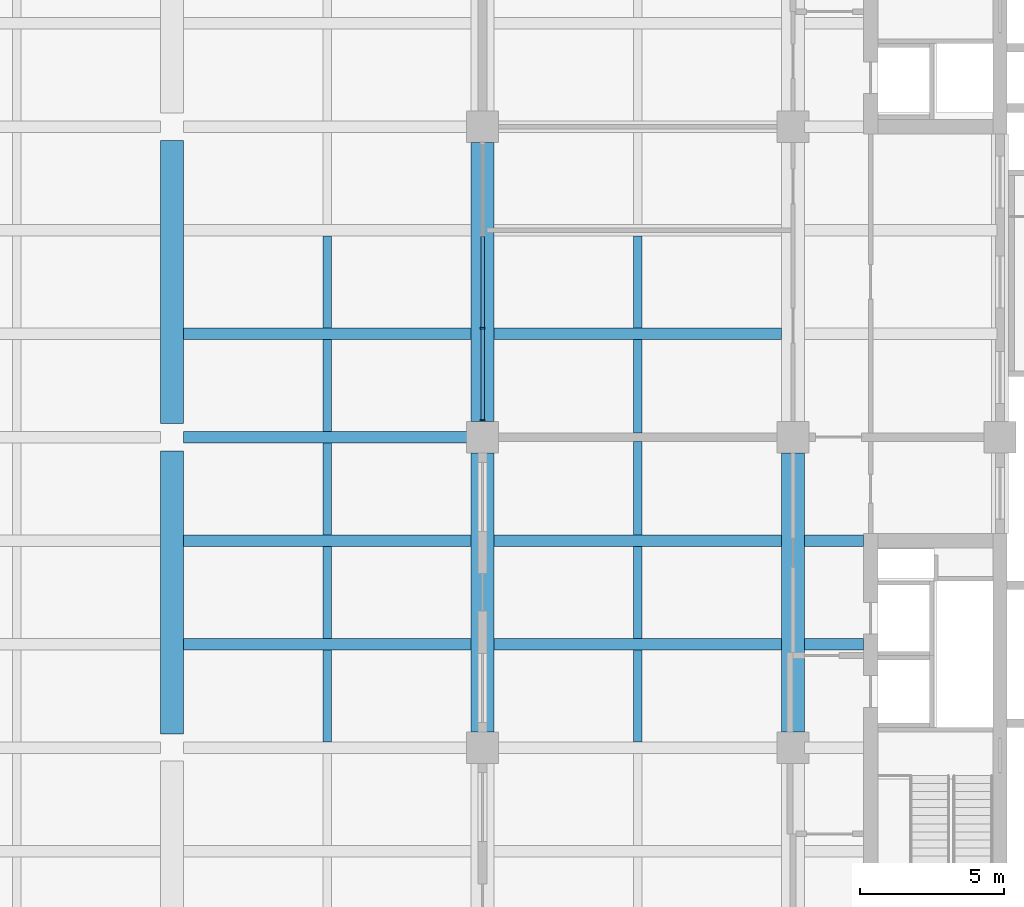
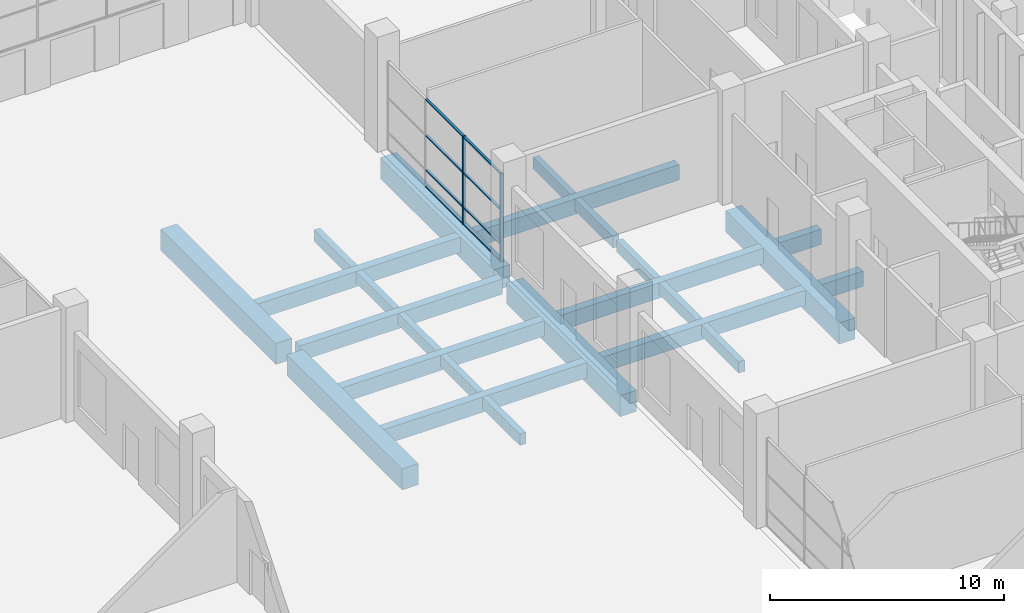
# One storey, part 30 of 71: 24 beams, 10 members, 1 element without a shape of its own.
"""IFC4 building model written with IfcOpenShell, lengths in metres."""

from ifc_helpers import new_model, si_unit, direction, frame, origin, origin_2d, place, context, subcontext, project, spatial, rectangle, extrude, material, layer, layer_set, material_profile, profile_set, type_object, element, aggregate, save


model = new_model("IFC4")

# Units and contexts
model_context = context("Model", 3, precision=1e-05, world=origin(), true_north=direction((0.0, 1.0)))
body_context = subcontext(model_context, "Body", "Model", "MODEL_VIEW")
ifc_project = project(units=[si_unit("LENGTHUNIT", "METRE"), si_unit("AREAUNIT", "SQUARE_METRE"), si_unit("VOLUMEUNIT", "CUBIC_METRE"), si_unit("PLANEANGLEUNIT", "RADIAN"), si_unit("MASSUNIT", "GRAM", prefix="KILO")], contexts=[model_context])

# Site, building, storey
site_placement = place(None, origin())
site = spatial("IfcSite", under=ifc_project, at=site_placement, CompositionType="ELEMENT")
building_placement = place(site_placement, origin())
building = spatial("IfcBuilding", under=site, at=building_placement, Name="Basin Gate Institute", CompositionType="ELEMENT")
storey_placement = place(building_placement, origin())
storey = spatial("IfcBuildingStorey", under=building, at=storey_placement, Name="L00", CompositionType="ELEMENT", Elevation=0.0)

# Beams
ifc_material_1 = material(Name="Concrete 40 MPa", Category="concrete")
ifc_material_profile_1 = material_profile(ifc_material_1, rectangle(XDim=0.39990234375, YDim=0.800048828125, at=origin_2d()), Name="Beam B2 400 x 800")
ifc_profile_set_1 = profile_set([ifc_material_profile_1], Name="Concrete 40 MPa")
beam_type_1 = type_object("IfcBeamType", Name="Beam B2 R180", PredefinedType="BEAM", material=ifc_profile_set_1)
beam_1_placement = place(storey_placement, frame((111.199951171875, 71.10009765625, -0.699951171875), z_axis=(-1.0, 0.0, 0.0), x_axis=(0.0, -1.0, 0.0)))
element("IfcBeam", 1, at=beam_1_placement, inside=storey, type_object=beam_type_1, material=ifc_profile_set_1, Name="BEAM/L00/E/EW/11", PredefinedType="BEAM", context=body_context, shape_type="SweptSolid", body=[
    extrude(rectangle(XDim=0.39990234375, YDim=0.800048828125, at=origin_2d()), origin(), (0.0, 0.0, 1.0), 10.0),
])
beam_2_placement = place(storey_placement, frame((114.050048828125, 71.10009765625, -0.699951171875), z_axis=(-1.0, 0.0, 0.0), x_axis=(0.0, -1.0, 0.0)))
element("IfcBeam", 2, at=beam_2_placement, inside=storey, type_object=beam_type_1, material=ifc_profile_set_1, Name="BEAM/L00/E/CORR/11", PredefinedType="BEAM", context=body_context, shape_type="SweptSolid", body=[
    extrude(rectangle(XDim=0.39990234375, YDim=0.800048828125, at=origin_2d()), origin(), (0.0, 0.0, 1.0), 2.050048828125),
])
beam_3_placement = place(storey_placement, frame((111.199951171875, 74.699951171875, -0.699951171875), z_axis=(-1.0, 0.0, 0.0), x_axis=(0.0, -1.0, 0.0)))
element("IfcBeam", 3, at=beam_3_placement, inside=storey, type_object=beam_type_1, material=ifc_profile_set_1, Name="BEAM/L00/E/EW/12", PredefinedType="BEAM", context=body_context, shape_type="SweptSolid", body=[
    extrude(rectangle(XDim=0.39990234375, YDim=0.800048828125, at=origin_2d()), origin(), (0.0, 0.0, 1.0), 10.0),
])
beam_4_placement = place(storey_placement, frame((114.050048828125, 74.699951171875, -0.699951171875), z_axis=(-1.0, 0.0, 0.0), x_axis=(0.0, -1.0, 0.0)))
element("IfcBeam", 4, at=beam_4_placement, inside=storey, type_object=beam_type_1, material=ifc_profile_set_1, Name="BEAM/L00/E/CORR/12", PredefinedType="BEAM", context=body_context, shape_type="SweptSolid", body=[
    extrude(rectangle(XDim=0.39990234375, YDim=0.800048828125, at=origin_2d()), origin(), (0.0, 0.0, 1.0), 2.050048828125),
])
for number, where, z_axis, x_axis, name in (
    (5, (111.199951171875, 81.89990234375, -0.699951171875), (-1.0, 0.0, 0.0), (0.0, -1.0, 0.0), "BEAM/L00/E/EW/14"),
    (6, (90.39990234375, 71.10009765625, -0.699951171875), (1.0, 0.0, 0.0), (0.0, 1.0, 0.0), "BEAM/L00/CAN/E/11"),
    (7, (90.39990234375, 74.699951171875, -0.699951171875), (1.0, 0.0, 0.0), (0.0, 1.0, 0.0), "BEAM/L00/CAN/E/12"),
    (8, (90.39990234375, 78.300048828125, -0.699951171875), (1.0, 0.0, 0.0), (0.0, 1.0, 0.0), "BEAM/L00/CAN/E/13"),
    (9, (90.39990234375, 81.89990234375, -0.699951171875), (1.0, 0.0, 0.0), (0.0, 1.0, 0.0), "BEAM/L00/CAN/E/14"),
):
    element("IfcBeam", number, at=place(storey_placement, frame(where, z_axis=z_axis, x_axis=x_axis)), inside=storey, type_object=beam_type_1, material=ifc_profile_set_1, Name=name, PredefinedType="BEAM", context=body_context, shape_type="SweptSolid", body=[
        extrude(rectangle(XDim=0.39990234375, YDim=0.800048828125, at=origin_2d()), origin(), (0.0, 0.0, 1.0), 10.0),
    ])
ifc_material_2 = material(Name="Concrete 50 MPa", Category="concrete")
ifc_material_profile_2 = material_profile(ifc_material_2, rectangle(XDim=0.800048828125, YDim=1.10009765625, at=origin_2d()), Name="Girder G2 800 x 1100")
ifc_profile_set_2 = profile_set([ifc_material_profile_2], Name="Concrete 50 MPa")
beam_type_2 = type_object("IfcBeamType", Name="Girder G2 R180", PredefinedType="BEAM", material=ifc_profile_set_2)
for number, where, z_axis, x_axis, name in (
    (10, (111.60009765625, 68.050048828125, -0.85009765625), (0.0, 1.0, 0.0), (-1.0, 0.0, 0.0), "GIR/L00/E8/4"),
    (11, (100.800048828125, 68.050048828125, -0.85009765625), (0.0, 1.0, 0.0), (-1.0, 0.0, 0.0), "GIR/L00/E7/4"),
    (12, (100.800048828125, 78.85009765625, -0.85009765625), (0.0, 1.0, 0.0), (-1.0, 0.0, 0.0), "GIR/L00/E7/5"),
):
    element("IfcBeam", number, at=place(storey_placement, frame(where, z_axis=z_axis, x_axis=x_axis)), inside=storey, type_object=beam_type_2, material=ifc_profile_set_2, Name=name, PredefinedType="BEAM", context=body_context, shape_type="SweptSolid", body=[
        extrude(rectangle(XDim=0.800048828125, YDim=1.10009765625, at=origin_2d()), origin(), (0.0, 0.0, 1.0), 9.699951171875),
    ])
beam_5_placement = place(storey_placement, frame((90.0, 67.97509765625, -0.85009765625), z_axis=(0.0, 1.0, 0.0), x_axis=(-1.0, 0.0, 0.0)))
element("IfcBeam", 13, at=beam_5_placement, inside=storey, type_object=beam_type_2, material=ifc_profile_set_2, Name="GIR/L00/C65/4", PredefinedType="BEAM", context=body_context, shape_type="SweptSolid", body=[
    extrude(rectangle(XDim=0.800048828125, YDim=1.10009765625, at=origin_2d()), origin(), (0.0, 0.0, 1.0), 9.849853515625),
])
beam_6_placement = place(storey_placement, frame((90.0, 78.77490234375, -0.85009765625), z_axis=(0.0, 1.0, 0.0), x_axis=(-1.0, 0.0, 0.0)))
element("IfcBeam", 14, at=beam_6_placement, inside=storey, type_object=beam_type_2, material=ifc_profile_set_2, Name="GIR/L00/C65/5", PredefinedType="BEAM", context=body_context, shape_type="SweptSolid", body=[
    extrude(rectangle(XDim=0.800048828125, YDim=1.10009765625, at=origin_2d()), origin(), (0.0, 0.0, 1.0), 9.85009765625),
])

# Curtain wall, members
ifc_material_3 = material(Name="Fire-resistant glazing in steel-free frame", Category="steel")
ifc_layer = layer(ifc_material_3, 0.199951171875)
ifc_layer_set = layer_set([ifc_layer], Name="Fire-resistant glazing in steel-free frame")
curtain_wall_type = type_object("IfcCurtainWallType", Name="Atrium rated curtain wall CW3", PredefinedType="NOTDEFINED", material=ifc_layer_set)
curtain_wall_placement = place(storey_placement, origin())
curtain_wall = element("IfcCurtainWall", 15, at=curtain_wall_placement, inside=storey, type_object=curtain_wall_type, material=ifc_layer_set, Name="Atrium rated curtain wall E wing atrium bay 5 L00", PredefinedType="NOTDEFINED")
ifc_material_4 = material(Name="Aluminium", Category="aluminium")
ifc_material_profile_3 = material_profile(ifc_material_4, rectangle(XDim=0.14990234375, YDim=0.06005859375, at=origin_2d()), Name="Mullion MU3 150 x 60")
ifc_profile_set_3 = profile_set([ifc_material_profile_3], Name="Aluminium")
member_type_1 = type_object("IfcMemberType", Name="Mullion MU3", PredefinedType="MULLION", material=ifc_profile_set_3)
member_1_placement = place(storey_placement, frame((100.800048828125, 78.8798828125, 0.0), z_axis=(0.0, 0.0, 1.0), x_axis=(-1.0, 0.0, 0.0)))
member_1 = element("IfcMember", 16, at=member_1_placement, type_object=member_type_1, material=ifc_profile_set_3, Name="CW3 mullion 1", PredefinedType="MULLION", context=body_context, shape_type="SweptSolid", body=[
    extrude(rectangle(XDim=0.14990234375, YDim=0.06005859375, at=origin_2d()), origin(), (0.0, 0.0, 1.0), 4.60009765625),
])
member_2_placement = place(storey_placement, frame((100.800048828125, 82.083251953125, 0.0), z_axis=(0.0, 0.0, 1.0), x_axis=(-1.0, 0.0, 0.0)))
member_2 = element("IfcMember", 17, at=member_2_placement, type_object=member_type_1, material=ifc_profile_set_3, Name="CW3 mullion 2", PredefinedType="MULLION", context=body_context, shape_type="SweptSolid", body=[
    extrude(rectangle(XDim=0.14990234375, YDim=0.06005859375, at=origin_2d()), origin(), (0.0, 0.0, 1.0), 4.60009765625),
])

# Beams
ifc_material_5 = material(Name="Concrete 40 MPa", Category="concrete")
ifc_material_profile_4 = material_profile(ifc_material_5, rectangle(XDim=0.300048828125, YDim=0.60009765625, at=origin_2d()), Name="Rib R2 300 x 600")
ifc_profile_set_4 = profile_set([ifc_material_profile_4], Name="Concrete 40 MPa")
beam_type_3 = type_object("IfcBeamType", Name="Rib R2 R180", PredefinedType="JOIST", material=ifc_profile_set_4)
for number, where, z_axis, x_axis, name in (
    (18, (106.199951171875, 67.699951171875, -0.60009765625), (0.0, 1.0, 0.0), (-1.0, 0.0, 0.0), "BEAM/L00/E/RIB/10"),
    (19, (106.199951171875, 71.300048828125, -0.60009765625), (0.0, 1.0, 0.0), (-1.0, 0.0, 0.0), "BEAM/L00/E/RIB/11"),
):
    element("IfcBeam", number, at=place(storey_placement, frame(where, z_axis=z_axis, x_axis=x_axis)), inside=storey, type_object=beam_type_3, material=ifc_profile_set_4, Name=name, PredefinedType="JOIST", context=body_context, shape_type="SweptSolid", body=[
        extrude(rectangle(XDim=0.300048828125, YDim=0.60009765625, at=origin_2d()), origin(), (0.0, 0.0, 1.0), 3.199951171875),
    ])
for number, where, z_axis, x_axis, name in (
    (20, (106.199951171875, 74.89990234375, -0.60009765625), (0.0, 1.0, 0.0), (-1.0, 0.0, 0.0), "BEAM/L00/E/RIB/12"),
    (21, (106.199951171875, 78.449951171875, -0.60009765625), (0.0, 1.0, 0.0), (-1.0, 0.0, 0.0), "BEAM/L00/E/RIB/13"),
):
    element("IfcBeam", number, at=place(storey_placement, frame(where, z_axis=z_axis, x_axis=x_axis)), inside=storey, type_object=beam_type_3, material=ifc_profile_set_4, Name=name, PredefinedType="JOIST", context=body_context, shape_type="SweptSolid", body=[
        extrude(rectangle(XDim=0.300048828125, YDim=0.60009765625, at=origin_2d()), origin(), (0.0, 0.0, 1.0), 3.25),
    ])
for number, where, z_axis, x_axis, name in (
    (22, (106.199951171875, 82.10009765625, -0.60009765625), (0.0, 1.0, 0.0), (-1.0, 0.0, 0.0), "BEAM/L00/E/RIB/14"),
    (23, (95.39990234375, 67.699951171875, -0.60009765625), (0.0, 1.0, 0.0), (-1.0, 0.0, 0.0), "BEAM/L00/CAN/RIBE/10"),
    (24, (95.39990234375, 71.300048828125, -0.60009765625), (0.0, 1.0, 0.0), (-1.0, 0.0, 0.0), "BEAM/L00/CAN/RIBE/11"),
):
    element("IfcBeam", number, at=place(storey_placement, frame(where, z_axis=z_axis, x_axis=x_axis)), inside=storey, type_object=beam_type_3, material=ifc_profile_set_4, Name=name, PredefinedType="JOIST", context=body_context, shape_type="SweptSolid", body=[
        extrude(rectangle(XDim=0.300048828125, YDim=0.60009765625, at=origin_2d()), origin(), (0.0, 0.0, 1.0), 3.199951171875),
    ])
beam_7_placement = place(storey_placement, frame((95.39990234375, 74.89990234375, -0.60009765625), z_axis=(0.0, 1.0, 0.0), x_axis=(-1.0, 0.0, 0.0)))
element("IfcBeam", 25, at=beam_7_placement, inside=storey, type_object=beam_type_3, material=ifc_profile_set_4, Name="BEAM/L00/CAN/RIBE/12", PredefinedType="JOIST", context=body_context, shape_type="SweptSolid", body=[
    extrude(rectangle(XDim=0.300048828125, YDim=0.60009765625, at=origin_2d()), origin(), (0.0, 0.0, 1.0), 3.2001953125),
])
for number, where, z_axis, x_axis, name in (
    (26, (95.39990234375, 78.5, -0.60009765625), (0.0, 1.0, 0.0), (-1.0, 0.0, 0.0), "BEAM/L00/CAN/RIBE/13"),
    (27, (95.39990234375, 82.10009765625, -0.60009765625), (0.0, 1.0, 0.0), (-1.0, 0.0, 0.0), "BEAM/L00/CAN/RIBE/14"),
):
    element("IfcBeam", number, at=place(storey_placement, frame(where, z_axis=z_axis, x_axis=x_axis)), inside=storey, type_object=beam_type_3, material=ifc_profile_set_4, Name=name, PredefinedType="JOIST", context=body_context, shape_type="SweptSolid", body=[
        extrude(rectangle(XDim=0.300048828125, YDim=0.60009765625, at=origin_2d()), origin(), (0.0, 0.0, 1.0), 3.199951171875),
    ])

# Member
ifc_material_6 = material(Name="Aluminium", Category="aluminium")
ifc_material_profile_5 = material_profile(ifc_material_6, rectangle(XDim=0.1201171875, YDim=0.06005859375, at=origin_2d()), Name="Transom TR3 120 x 60")
ifc_profile_set_5 = profile_set([ifc_material_profile_5], Name="Aluminium")
member_type_2 = type_object("IfcMemberType", Name="Transom TR3", PredefinedType="USERDEFINED", material=ifc_profile_set_5)
member_3_placement = place(storey_placement, frame((100.800048828125, 78.909912109375, 0.030029296875), z_axis=(0.0, 1.0, 0.0), x_axis=(-1.0, 0.0, 0.0)))
member_3 = element("IfcMember", 28, at=member_3_placement, type_object=member_type_2, material=ifc_profile_set_5, Name="CW3 transom 1.1", ObjectType="TRANSOM", PredefinedType="USERDEFINED", context=body_context, shape_type="SweptSolid", body=[
    extrude(rectangle(XDim=0.1201171875, YDim=0.06005859375, at=origin_2d()), origin(), (0.0, 0.0, 1.0), 3.143310546875),
])

member_4_placement = place(storey_placement, frame((100.800048828125, 78.909912109375, 0.89990234375), z_axis=(0.0, 1.0, 0.0), x_axis=(-1.0, 0.0, 0.0)))
member_4 = element("IfcMember", 29, at=member_4_placement, type_object=member_type_2, material=ifc_profile_set_5, Name="CW3 transom 1.2", ObjectType="TRANSOM", PredefinedType="USERDEFINED", context=body_context, shape_type="SweptSolid", body=[
    extrude(rectangle(XDim=0.1201171875, YDim=0.06005859375, at=origin_2d()), origin(), (0.0, 0.0, 1.0), 3.143310546875),
])

member_5_placement = place(storey_placement, frame((100.800048828125, 78.909912109375, 2.699951171875), z_axis=(0.0, 1.0, 0.0), x_axis=(-1.0, 0.0, 0.0)))
member_5 = element("IfcMember", 30, at=member_5_placement, type_object=member_type_2, material=ifc_profile_set_5, Name="CW3 transom 1.3", ObjectType="TRANSOM", PredefinedType="USERDEFINED", context=body_context, shape_type="SweptSolid", body=[
    extrude(rectangle(XDim=0.1201171875, YDim=0.06005859375, at=origin_2d()), origin(), (0.0, 0.0, 1.0), 3.143310546875),
])

member_6_placement = place(storey_placement, frame((100.800048828125, 78.909912109375, 4.570068359375), z_axis=(0.0, 1.0, 0.0), x_axis=(-1.0, 0.0, 0.0)))
member_6 = element("IfcMember", 31, at=member_6_placement, type_object=member_type_2, material=ifc_profile_set_5, Name="CW3 transom 1.4", ObjectType="TRANSOM", PredefinedType="USERDEFINED", context=body_context, shape_type="SweptSolid", body=[
    extrude(rectangle(XDim=0.1201171875, YDim=0.06005859375, at=origin_2d()), origin(), (0.0, 0.0, 1.0), 3.143310546875),
])

member_7_placement = place(storey_placement, frame((100.800048828125, 82.11328125, 0.030029296875), z_axis=(0.0, 1.0, 0.0), x_axis=(-1.0, 0.0, 0.0)))
member_7 = element("IfcMember", 32, at=member_7_placement, type_object=member_type_2, material=ifc_profile_set_5, Name="CW3 transom 2.1", ObjectType="TRANSOM", PredefinedType="USERDEFINED", context=body_context, shape_type="SweptSolid", body=[
    extrude(rectangle(XDim=0.1201171875, YDim=0.06005859375, at=origin_2d()), origin(), (0.0, 0.0, 1.0), 3.17333984375),
])

member_8_placement = place(storey_placement, frame((100.800048828125, 82.11328125, 0.89990234375), z_axis=(0.0, 1.0, 0.0), x_axis=(-1.0, 0.0, 0.0)))
member_8 = element("IfcMember", 33, at=member_8_placement, type_object=member_type_2, material=ifc_profile_set_5, Name="CW3 transom 2.2", ObjectType="TRANSOM", PredefinedType="USERDEFINED", context=body_context, shape_type="SweptSolid", body=[
    extrude(rectangle(XDim=0.1201171875, YDim=0.06005859375, at=origin_2d()), origin(), (0.0, 0.0, 1.0), 3.17333984375),
])

member_9_placement = place(storey_placement, frame((100.800048828125, 82.11328125, 2.699951171875), z_axis=(0.0, 1.0, 0.0), x_axis=(-1.0, 0.0, 0.0)))
member_9 = element("IfcMember", 34, at=member_9_placement, type_object=member_type_2, material=ifc_profile_set_5, Name="CW3 transom 2.3", ObjectType="TRANSOM", PredefinedType="USERDEFINED", context=body_context, shape_type="SweptSolid", body=[
    extrude(rectangle(XDim=0.1201171875, YDim=0.06005859375, at=origin_2d()), origin(), (0.0, 0.0, 1.0), 3.17333984375),
])

member_10_placement = place(storey_placement, frame((100.800048828125, 82.11328125, 4.570068359375), z_axis=(0.0, 1.0, 0.0), x_axis=(-1.0, 0.0, 0.0)))
member_10 = element("IfcMember", 35, at=member_10_placement, type_object=member_type_2, material=ifc_profile_set_5, Name="CW3 transom 2.4", ObjectType="TRANSOM", PredefinedType="USERDEFINED", context=body_context, shape_type="SweptSolid", body=[
    extrude(rectangle(XDim=0.1201171875, YDim=0.06005859375, at=origin_2d()), origin(), (0.0, 0.0, 1.0), 3.17333984375),
])

aggregate(curtain_wall, [member_1, member_2, member_3, member_4, member_5, member_6, member_7, member_8, member_9, member_10])

save(model, "model.ifc")
